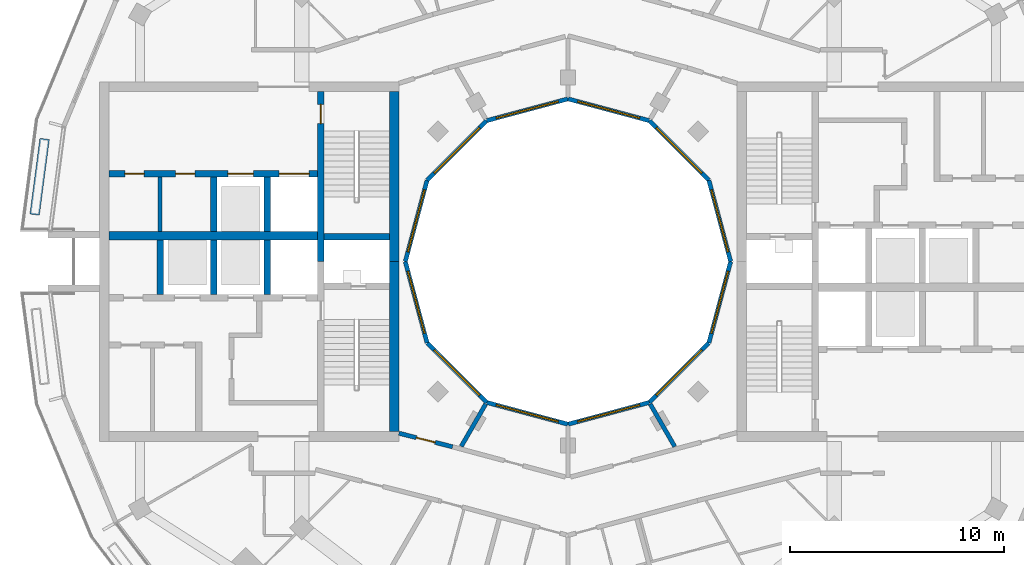
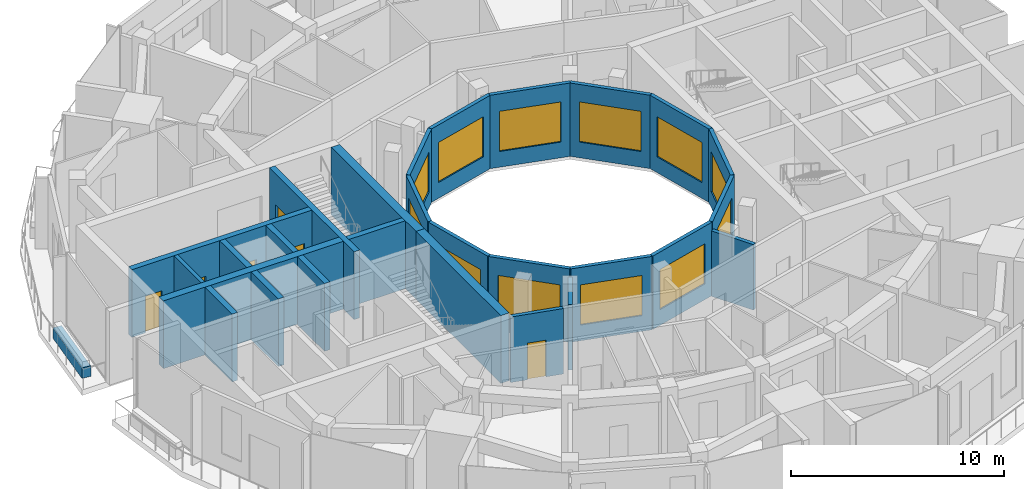
# One storey, part 10 of 17: 28 walls, 12 windows, 6 doors, 18 openings.
"""IFC4 building model written with IfcOpenShell, lengths in metres."""

from ifc_helpers import new_model, si_unit, direction, frame, frame_2d, origin, place, context, subcontext, project, spatial, rectangle, extrude, material, layer, layer_set, type_object, element, fill, save


model = new_model("IFC4")

# Units and contexts
model_context = context("Model", 3, precision=1e-05, world=origin(), true_north=direction((0.0, 1.0)))
body_context = subcontext(model_context, "Body", "Model", "MODEL_VIEW")
ifc_project = project(units=[si_unit("LENGTHUNIT", "METRE"), si_unit("AREAUNIT", "SQUARE_METRE"), si_unit("VOLUMEUNIT", "CUBIC_METRE"), si_unit("PLANEANGLEUNIT", "RADIAN"), si_unit("MASSUNIT", "GRAM", prefix="KILO")], contexts=[model_context])

# Site, building, storey
site_placement = place(None, origin())
site = spatial("IfcSite", under=ifc_project, at=site_placement, CompositionType="ELEMENT")
building_placement = place(site_placement, origin())
building = spatial("IfcBuilding", under=site, at=building_placement, Name="Torre Brocal", CompositionType="ELEMENT")
storey_placement = place(building_placement, frame((0.0, 0.0, 275.699951171875)))
storey = spatial("IfcBuildingStorey", under=building, at=storey_placement, Name="L63", CompositionType="ELEMENT", Elevation=275.699951171875)

# Wall
ifc_material_1 = material(Name="Masonry block", Category="masonry")
ifc_layer_1 = layer(ifc_material_1, 0.199951171875)
ifc_layer_set_1 = layer_set([ifc_layer_1], Name="Masonry block")
wall_type_1 = type_object("IfcWallType", Name="CORE PARTITION 200", PredefinedType="PARTITIONING", material=ifc_layer_set_1)
wall_1_placement = place(storey_placement, frame((60.925048828125, 78.949951171875, 0.0), z_axis=(0.0, 0.0, 1.0), x_axis=(0.0, -1.0, 0.0)))
element("IfcWall", 1, at=wall_1_placement, inside=storey, type_object=wall_type_1, Name="Wall CP200", PredefinedType="PARTITIONING", context=body_context, shape_type="SweptSolid", body=[
    extrude(rectangle(XDim=2.550048828125, YDim=0.199951171875, at=frame_2d((1.27490234375, 0.0))), origin(), (0.0, 0.0, 1.0), 3.880126953125),
])

# Wall, opening, door
ifc_material_2 = material(Name="Concrete C50", Category="concrete")
ifc_layer_2 = layer(ifc_material_2, 0.300048828125)
ifc_layer_set_2 = layer_set([ifc_layer_2], Name="Concrete C50")
wall_type_2 = type_object("IfcWallType", Name="CORE WALL 300 C50", PredefinedType="SHEAR", material=ifc_layer_set_2)
wall_2_placement = place(storey_placement, frame((68.449951171875, 82.949951171875, 0.0), z_axis=(0.0, 0.0, 1.0), x_axis=(0.0, -1.0, 0.0)))
wall_2 = element("IfcWall", 2, at=wall_2_placement, inside=storey, type_object=wall_type_2, Name="Wall CW300-50", PredefinedType="SHEAR", context=body_context, shape_type="SweptSolid", body=[
    extrude(rectangle(XDim=7.949951171875, YDim=0.300048828125, at=frame_2d((3.97509765625, 0.0))), origin(), (0.0, 0.0, 1.0), 3.880126953125),
])
opening_1_placement = place(wall_2_placement, frame((0.60009765625, 0.0, 0.0)))
opening_1 = element("IfcOpeningElement", 3, at=opening_1_placement, cuts=wall_2, Name="Opening W-D03", PredefinedType="OPENING", context=body_context, shape_type="SweptSolid", body=[
    extrude(rectangle(XDim=0.89990234375, YDim=2.10009765625, at=frame_2d((0.449951171875, 1.050048828125))), frame((0.0, 0.159912109375, 0.0), z_axis=(0.0, -1.0, 0.0), x_axis=(1.0, 0.0, 0.0)), (0.0, 0.0, 1.0), 0.320068359375),
])
ifc_material_3 = material(Name="Steel A653", Category="steel")
door_type_1 = type_object("IfcDoorType", Name="STAIR DOOR FD120 900X2100", OperationType="SINGLE_SWING_RIGHT", PredefinedType="DOOR", material=ifc_material_3)
door_1_placement = place(opening_1_placement, origin())
door_1 = element("IfcDoor", 4, at=door_1_placement, inside=storey, type_object=door_type_1, Name="Door W-D03", OperationType="SINGLE_SWING_LEFT", OverallHeight=2.10009765625, OverallWidth=0.89990234375, PredefinedType="DOOR", context=body_context, shape_type="SweptSolid", body=[
    extrude(rectangle(XDim=0.89990234375, YDim=2.10009765625, at=frame_2d((0.449951171875, 1.050048828125))), frame((0.0, 0.02490234375, 0.0), z_axis=(0.0, -1.0, 0.0), x_axis=(1.0, 0.0, 0.0)), (0.0, 0.0, 1.0), 0.050048828125),
])
fill(opening_1, door_1)

# Wall
wall_3_placement = place(storey_placement, frame((71.64990234375, 76.14990234375, 0.0), z_axis=(0.0, 0.0, 1.0), x_axis=(-1.0, 0.0, 0.0)))
element("IfcWall", 5, at=wall_3_placement, inside=storey, type_object=wall_type_2, Name="Wall CW300-50", PredefinedType="SHEAR", context=body_context, shape_type="SweptSolid", body=[
    extrude(rectangle(XDim=3.0498046875, YDim=0.300048828125, at=frame_2d((1.52490234375, 0.0))), origin(), (0.0, 0.0, 1.0), 3.880126953125),
])

# Wall, openings, doors
wall_4_placement = place(storey_placement, frame((68.300048828125, 79.10009765625, 0.0), z_axis=(0.0, 0.0, 1.0), x_axis=(-1.0, 0.0, 0.0)))
wall_4 = element("IfcWall", 6, at=wall_4_placement, inside=storey, type_object=wall_type_2, Name="Wall CW300-50", PredefinedType="SHEAR", context=body_context, shape_type="SweptSolid", body=[
    extrude(rectangle(XDim=9.75, YDim=0.300048828125, at=frame_2d((4.875, 0.0))), origin(), (0.0, 0.0, 1.0), 3.880126953125),
])
opening_2_placement = place(wall_4_placement, frame((0.39990234375, 0.0, 0.0)))
opening_2 = element("IfcOpeningElement", 7, at=opening_2_placement, cuts=wall_4, Name="Opening LD14", PredefinedType="OPENING", context=body_context, shape_type="SweptSolid", body=[
    extrude(rectangle(XDim=1.39990234375, YDim=2.10009765625, at=frame_2d((0.699951171875, 1.050048828125))), frame((0.0, 0.159912109375, 0.0), z_axis=(0.0, -1.0, 0.0), x_axis=(1.0, 0.0, 0.0)), (0.0, 0.0, 1.0), 0.320068359375),
])
opening_3_placement = place(wall_4_placement, frame((3.0, 0.0, 0.0)))
opening_3 = element("IfcOpeningElement", 8, at=opening_3_placement, cuts=wall_4, Name="Opening LD12", PredefinedType="OPENING", context=body_context, shape_type="SweptSolid", body=[
    extrude(rectangle(XDim=1.199951171875, YDim=2.10009765625, at=frame_2d((0.60009765625, 1.050048828125))), frame((0.0, 0.159912109375, 0.0), z_axis=(0.0, -1.0, 0.0), x_axis=(1.0, 0.0, 0.0)), (0.0, 0.0, 1.0), 0.320068359375),
])
opening_4_placement = place(wall_4_placement, frame((5.737548828125, 0.0, 0.0)))
opening_4 = element("IfcOpeningElement", 9, at=opening_4_placement, cuts=wall_4, Name="Opening W-D05", PredefinedType="OPENING", context=body_context, shape_type="SweptSolid", body=[
    extrude(rectangle(XDim=0.89990234375, YDim=2.10009765625, at=frame_2d((0.449951171875, 1.050048828125))), frame((0.0, 0.159912109375, 0.0), z_axis=(0.0, -1.0, 0.0), x_axis=(1.0, 0.0, 0.0)), (0.0, 0.0, 1.0), 0.320068359375),
])
opening_5_placement = place(wall_4_placement, frame((8.112548828125, 0.0, 0.0)))
opening_5 = element("IfcOpeningElement", 10, at=opening_5_placement, cuts=wall_4, Name="Opening W-D06", PredefinedType="OPENING", context=body_context, shape_type="SweptSolid", body=[
    extrude(rectangle(XDim=0.89990234375, YDim=2.10009765625, at=frame_2d((0.449951171875, 1.050048828125))), frame((0.0, 0.159912109375, 0.0), z_axis=(0.0, -1.0, 0.0), x_axis=(1.0, 0.0, 0.0)), (0.0, 0.0, 1.0), 0.320068359375),
])
ifc_material_4 = material(Name="Stainless steel AISI 316", Category="steel")
door_type_2 = type_object("IfcDoorType", Name="LIFT LANDING DOOR 1200X2100", OperationType="DOUBLE_DOOR_SLIDING", PredefinedType="DOOR", material=ifc_material_4)
door_2_placement = place(opening_3_placement, origin())
door_2 = element("IfcDoor", 11, at=door_2_placement, inside=storey, type_object=door_type_2, Name="Door LD12", OperationType="DOUBLE_DOOR_SLIDING", OverallHeight=2.10009765625, OverallWidth=1.199951171875, PredefinedType="DOOR", context=body_context, shape_type="SweptSolid", body=[
    extrude(rectangle(XDim=1.199951171875, YDim=2.10009765625, at=frame_2d((0.60009765625, 1.050048828125))), frame((0.0, 0.02490234375, 0.0), z_axis=(0.0, -1.0, 0.0), x_axis=(1.0, 0.0, 0.0)), (0.0, 0.0, 1.0), 0.050048828125),
])
fill(opening_3, door_2)
ifc_material_5 = material(Name="Stainless steel AISI 316", Category="steel")
door_type_3 = type_object("IfcDoorType", Name="LIFT LANDING DOOR 1400X2100", OperationType="DOUBLE_DOOR_SLIDING", PredefinedType="DOOR", material=ifc_material_5)
door_3_placement = place(opening_2_placement, origin())
door_3 = element("IfcDoor", 12, at=door_3_placement, inside=storey, type_object=door_type_3, Name="Door LD14", OperationType="DOUBLE_DOOR_SLIDING", OverallHeight=2.10009765625, OverallWidth=1.39990234375, PredefinedType="DOOR", context=body_context, shape_type="SweptSolid", body=[
    extrude(rectangle(XDim=1.39990234375, YDim=2.10009765625, at=frame_2d((0.699951171875, 1.050048828125))), frame((0.0, 0.02490234375, 0.0), z_axis=(0.0, -1.0, 0.0), x_axis=(1.0, 0.0, 0.0)), (0.0, 0.0, 1.0), 0.050048828125),
])
fill(opening_2, door_3)
ifc_material_6 = material(Name="Steel A653", Category="steel")
door_type_4 = type_object("IfcDoorType", Name="ROOM DOOR FD30S 900X2100", OperationType="SINGLE_SWING_LEFT", PredefinedType="DOOR", material=ifc_material_6)
door_4_placement = place(opening_4_placement, origin())
door_4 = element("IfcDoor", 13, at=door_4_placement, inside=storey, type_object=door_type_4, Name="Door W-D05", OperationType="SINGLE_SWING_RIGHT", OverallHeight=2.10009765625, OverallWidth=0.89990234375, PredefinedType="DOOR", context=body_context, shape_type="SweptSolid", body=[
    extrude(rectangle(XDim=0.89990234375, YDim=2.10009765625, at=frame_2d((0.449951171875, 1.050048828125))), frame((0.0, 0.02490234375, 0.0), z_axis=(0.0, -1.0, 0.0), x_axis=(1.0, 0.0, 0.0)), (0.0, 0.0, 1.0), 0.050048828125),
])
fill(opening_4, door_4)
door_5_placement = place(opening_5_placement, origin())
door_5 = element("IfcDoor", 14, at=door_5_placement, inside=storey, type_object=door_type_4, Name="Door W-D06", OperationType="SINGLE_SWING_LEFT", OverallHeight=2.10009765625, OverallWidth=0.89990234375, PredefinedType="DOOR", context=body_context, shape_type="SweptSolid", body=[
    extrude(rectangle(XDim=0.89990234375, YDim=2.10009765625, at=frame_2d((0.449951171875, 1.050048828125))), frame((0.0, 0.02490234375, 0.0), z_axis=(0.0, -1.0, 0.0), x_axis=(1.0, 0.0, 0.0)), (0.0, 0.0, 1.0), 0.050048828125),
])
fill(opening_5, door_5)

# Walls
for number, where, z_axis, x_axis, name in (
    (15, (65.949951171875, 76.0, 0.0), (0.0, 0.0, 1.0), (0.0, -1.0, 0.0), "Wall CW300-50"),
    (16, (63.449951171875, 76.0, 0.0), (0.0, 0.0, 1.0), (0.0, -1.0, 0.0), "Wall CW300-50"),
    (17, (60.949951171875, 76.0, 0.0), (0.0, 0.0, 1.0), (0.0, -1.0, 0.0), "Wall CW300-50"),
    (18, (65.949951171875, 78.949951171875, 0.0), (0.0, 0.0, 1.0), (0.0, -1.0, 0.0), "Wall CW300-50"),
    (19, (63.449951171875, 78.949951171875, 0.0), (0.0, 0.0, 1.0), (0.0, -1.0, 0.0), "Wall CW300-50"),
):
    element("IfcWall", number, at=place(storey_placement, frame(where, z_axis=z_axis, x_axis=x_axis)), inside=storey, type_object=wall_type_2, Name=name, PredefinedType="SHEAR", context=body_context, shape_type="SweptSolid", body=[
        extrude(rectangle(XDim=2.550048828125, YDim=0.300048828125, at=frame_2d((1.27490234375, 0.0))), origin(), (0.0, 0.0, 1.0), 3.880126953125),
    ])
ifc_material_7 = material(Name="Concrete C50", Category="concrete")
ifc_layer_3 = layer(ifc_material_7, 0.39990234375)
ifc_layer_set_3 = layer_set([ifc_layer_3], Name="Concrete C50")
wall_type_3 = type_object("IfcWallType", Name="CORE WALL 400 C50", PredefinedType="SHEAR", material=ifc_layer_set_3)
wall_5_placement = place(storey_placement, frame((68.300048828125, 76.199951171875, 0.0), z_axis=(0.0, 0.0, 1.0), x_axis=(-1.0, 0.0, 0.0)))
element("IfcWall", 20, at=wall_5_placement, inside=storey, type_object=wall_type_3, Name="Wall CW400-50", PredefinedType="SHEAR", context=body_context, shape_type="SweptSolid", body=[
    extrude(rectangle(XDim=9.75, YDim=0.39990234375, at=frame_2d((4.875, 0.0))), origin(), (0.0, 0.0, 1.0), 3.880126953125),
])
ifc_material_8 = material(Name="Concrete C50", Category="concrete")
ifc_layer_4 = layer(ifc_material_8, 0.449951171875)
ifc_layer_set_4 = layer_set([ifc_layer_4], Name="Concrete C50")
wall_type_4 = type_object("IfcWallType", Name="CORE WALL 450 C50", PredefinedType="SHEAR", material=ifc_layer_set_4)
for number, where, z_axis, x_axis, name in (
    (21, (71.875, 75.0, 0.0), (0.0, 0.0, 1.0), (0.0, -1.0, 0.0), "Wall CW450-50"),
    (22, (71.875, 82.949951171875, 0.0), (0.0, 0.0, 1.0), (0.0, -1.0, 0.0), "Wall CW450-50"),
):
    element("IfcWall", number, at=place(storey_placement, frame(where, z_axis=z_axis, x_axis=x_axis)), inside=storey, type_object=wall_type_4, Name=name, PredefinedType="SHEAR", context=body_context, shape_type="SweptSolid", body=[
        extrude(rectangle(XDim=7.949951171875, YDim=0.449951171875, at=frame_2d((3.97509765625, 0.0))), origin(), (0.0, 0.0, 1.0), 3.880126953125),
    ])

# Wall, opening, door
ifc_material_9 = material(Name="Gypsum board", Category="Gypsum")
ifc_layer_5 = layer(ifc_material_9, 0.199951171875)
ifc_layer_set_5 = layer_set([ifc_layer_5], Name="Gypsum board")
wall_type_5 = type_object("IfcWallType", Name="PARTITION 200 EI60", PredefinedType="PARTITIONING", material=ifc_layer_set_5)
wall_6_placement = place(storey_placement, frame((72.10009765625, 66.97509765625, 0.0), z_axis=(0.0, 0.0, 1.0), x_axis=(0.969471314457, -0.245204752086, 0.0)))
wall_6 = element("IfcWall", 23, at=wall_6_placement, inside=storey, type_object=wall_type_5, Name="CORRIDOR WALL", PredefinedType="PARTITIONING", context=body_context, shape_type="SweptSolid", body=[
    extrude(rectangle(XDim=2.581787109375, YDim=0.199951171875, at=frame_2d((1.291015625, 0.0))), origin(), (0.0, 0.0, 1.0), 3.75),
])
opening_6_placement = place(wall_6_placement, frame((0.8408203125, 0.0, 0.0)))
opening_6 = element("IfcOpeningElement", 24, at=opening_6_placement, cuts=wall_6, Name="Opening N01-D44", PredefinedType="OPENING", context=body_context, shape_type="SweptSolid", body=[
    extrude(rectangle(XDim=0.89990234375, YDim=2.10009765625, at=frame_2d((0.449951171875, 1.050048828125))), frame((0.0, 0.10986328125, 0.0), z_axis=(0.0, -1.0, 0.0), x_axis=(1.0, 0.0, 0.0)), (0.0, 0.0, 1.0), 0.219970703125),
])
ifc_material_10 = material(Name="Timber", Category="wood")
door_type_5 = type_object("IfcDoorType", Name="ROOM DOOR 900X2100", OperationType="SINGLE_SWING_LEFT", PredefinedType="DOOR", material=ifc_material_10)
door_6_placement = place(opening_6_placement, origin())
door_6 = element("IfcDoor", 25, at=door_6_placement, inside=storey, type_object=door_type_5, Name="N01-D44", OperationType="SINGLE_SWING_LEFT", OverallHeight=2.10009765625, OverallWidth=0.89990234375, PredefinedType="DOOR", context=body_context, shape_type="SweptSolid", body=[
    extrude(rectangle(XDim=0.89990234375, YDim=2.10009765625, at=frame_2d((0.449951171875, 1.050048828125))), frame((0.0, 0.02490234375, 0.0), z_axis=(0.0, -1.0, 0.0), x_axis=(1.0, 0.0, 0.0)), (0.0, 0.0, 1.0), 0.050048828125),
])
fill(opening_6, door_6)

# Walls
wall_7_placement = place(storey_placement, frame((75.01220703125, 66.363037109375, 0.0), z_axis=(0.0, 0.0, 1.0), x_axis=(0.500097042406, 0.865969369075, 0.0)))
element("IfcWall", 26, at=wall_7_placement, inside=storey, type_object=wall_type_5, Name="SERVICE ROOM WALL", PredefinedType="PARTITIONING", context=body_context, shape_type="SweptSolid", body=[
    extrude(rectangle(XDim=2.275390625, YDim=0.199951171875, at=frame_2d((1.1376953125, 0.0))), origin(), (0.0, 0.0, 1.0), 3.75),
])
wall_8_placement = place(storey_placement, frame((83.847900390625, 68.332275390625, 0.0), z_axis=(0.0, 0.0, 1.0), x_axis=(0.499953638813, -0.866052168773, 0.0)))
element("IfcWall", 27, at=wall_8_placement, inside=storey, type_object=wall_type_5, Name="SERVICE ROOM WALL", PredefinedType="PARTITIONING", context=body_context, shape_type="SweptSolid", body=[
    extrude(rectangle(XDim=2.285400390625, YDim=0.199951171875, at=frame_2d((1.142578125, 0.0))), origin(), (0.0, 0.0, 1.0), 3.75),
])
ifc_material_11 = material(Name="Concrete C35", Category="concrete")
ifc_layer_6 = layer(ifc_material_11, 0.449951171875)
ifc_layer_set_6 = layer_set([ifc_layer_6], Name="Concrete C35")
wall_type_6 = type_object("IfcWallType", Name="PLANTER WALL 450 THICK 600 HIGH", PredefinedType="USERDEFINED", material=ifc_layer_set_6)
wall_9_placement = place(storey_placement, frame((55.53662109375, 80.73388671875, 0.0), z_axis=(0.0, 0.0, 1.0), x_axis=(-0.130569454921, -0.991439164771, 0.0)))
element("IfcWall", 28, at=wall_9_placement, inside=storey, type_object=wall_type_6, Name="PLANTER", ObjectType="PLANTER", PredefinedType="USERDEFINED", context=body_context, shape_type="SweptSolid", body=[
    extrude(rectangle(XDim=3.5712890625, YDim=0.449951171875, at=frame_2d((1.78564453125, 0.0))), origin(), (0.0, 0.0, 1.0), 0.60009765625),
])

# Wall, opening, window
ifc_material_12 = material(Name="Concrete C40", Category="concrete")
ifc_layer_7 = layer(ifc_material_12, 0.199951171875)
ifc_layer_set_7 = layer_set([ifc_layer_7], Name="Concrete C40")
wall_type_7 = type_object("IfcWallType", Name="WELL FACADE WALL 200", PredefinedType="NOTDEFINED", material=ifc_layer_set_7)
wall_10_placement = place(storey_placement, frame((87.603515625, 75.0, 0.0), z_axis=(0.0, 0.0, 1.0), x_axis=(-0.258789828301, 0.965933654434, 0.0)))
wall_10 = element("IfcWall", 29, at=wall_10_placement, inside=storey, type_object=wall_type_7, Name="WELL FACADE WALL", PredefinedType="NOTDEFINED", context=body_context, shape_type="SweptSolid", body=[
    extrude(rectangle(XDim=3.935791015625, YDim=0.199951171875, at=frame_2d((1.9677734375, 0.0))), origin(), (0.0, 0.0, 1.0), 4.199951171875),
])
opening_7_placement = place(wall_10_placement, frame((0.468017578125, 0.0, 0.89990234375)))
opening_7 = element("IfcOpeningElement", 30, at=opening_7_placement, cuts=wall_10, Name="Opening W1", PredefinedType="OPENING", context=body_context, shape_type="SweptSolid", body=[
    extrude(rectangle(XDim=3.0, YDim=2.300048828125, at=frame_2d((1.5, 1.14990234375))), frame((0.0, 0.10986328125, 0.0), z_axis=(0.0, -1.0, 0.0), x_axis=(1.0, 0.0, 0.0)), (0.0, 0.0, 1.0), 0.219970703125),
])
ifc_material_13 = material(Name="Aluminium and glass", Category="aluminium")
window_type = type_object("IfcWindowType", Name="WELL WINDOW 3000X2300", PartitioningType="SINGLE_PANEL", PredefinedType="WINDOW", material=ifc_material_13)
window_1_placement = place(opening_7_placement, origin())
window_1 = element("IfcWindow", 31, at=window_1_placement, inside=storey, type_object=window_type, Name="WELL WINDOW 3000X2300", OverallHeight=2.300048828125, OverallWidth=3.0, PartitioningType="SINGLE_PANEL", PredefinedType="WINDOW", context=body_context, shape_type="SweptSolid", body=[
    extrude(rectangle(XDim=3.0, YDim=2.300048828125, at=frame_2d((1.5, 1.14990234375))), frame((0.0, 0.030029296875, 0.0), z_axis=(0.0, -1.0, 0.0), x_axis=(1.0, 0.0, 0.0)), (0.0, 0.0, 1.0), 0.06005859375),
])
fill(opening_7, window_1)

wall_11_placement = place(storey_placement, frame((86.5849609375, 78.8017578125, 0.0), z_axis=(0.0, 0.0, 1.0), x_axis=(-0.707106781187, 0.707106781187, 0.0)))
wall_11 = element("IfcWall", 32, at=wall_11_placement, inside=storey, type_object=wall_type_7, Name="WELL FACADE WALL", PredefinedType="NOTDEFINED", context=body_context, shape_type="SweptSolid", body=[
    extrude(rectangle(XDim=3.93603515625, YDim=0.199951171875, at=frame_2d((1.968017578125, 0.0))), origin(), (0.0, 0.0, 1.0), 4.199951171875),
])
opening_8_placement = place(wall_11_placement, frame((0.468017578125, 0.0, 0.89990234375)))
opening_8 = element("IfcOpeningElement", 33, at=opening_8_placement, cuts=wall_11, Name="Opening W1", PredefinedType="OPENING", context=body_context, shape_type="SweptSolid", body=[
    extrude(rectangle(XDim=3.0, YDim=2.300048828125, at=frame_2d((1.5, 1.14990234375))), frame((0.0, 0.10986328125, 0.0), z_axis=(0.0, -1.0, 0.0), x_axis=(1.0, 0.0, 0.0)), (0.0, 0.0, 1.0), 0.219970703125),
])
window_2_placement = place(opening_8_placement, origin())
window_2 = element("IfcWindow", 34, at=window_2_placement, inside=storey, type_object=window_type, Name="WELL WINDOW 3000X2300", OverallHeight=2.300048828125, OverallWidth=3.0, PartitioningType="SINGLE_PANEL", PredefinedType="WINDOW", context=body_context, shape_type="SweptSolid", body=[
    extrude(rectangle(XDim=3.0, YDim=2.300048828125, at=frame_2d((1.5, 1.14990234375))), frame((0.0, 0.030029296875, 0.0), z_axis=(0.0, -1.0, 0.0), x_axis=(1.0, 0.0, 0.0)), (0.0, 0.0, 1.0), 0.06005859375),
])
fill(opening_8, window_2)

wall_12_placement = place(storey_placement, frame((83.8017578125, 81.5849609375, 0.0), z_axis=(0.0, 0.0, 1.0), x_axis=(-0.965933654434, 0.258789828301, 0.0)))
wall_12 = element("IfcWall", 35, at=wall_12_placement, inside=storey, type_object=wall_type_7, Name="WELL FACADE WALL", PredefinedType="NOTDEFINED", context=body_context, shape_type="SweptSolid", body=[
    extrude(rectangle(XDim=3.935791015625, YDim=0.199951171875, at=frame_2d((1.9677734375, 0.0))), origin(), (0.0, 0.0, 1.0), 4.199951171875),
])
opening_9_placement = place(wall_12_placement, frame((0.468017578125, 0.0, 0.89990234375)))
opening_9 = element("IfcOpeningElement", 36, at=opening_9_placement, cuts=wall_12, Name="Opening W1", PredefinedType="OPENING", context=body_context, shape_type="SweptSolid", body=[
    extrude(rectangle(XDim=3.0, YDim=2.300048828125, at=frame_2d((1.5, 1.14990234375))), frame((0.0, 0.10986328125, 0.0), z_axis=(0.0, -1.0, 0.0), x_axis=(1.0, 0.0, 0.0)), (0.0, 0.0, 1.0), 0.219970703125),
])
window_3_placement = place(opening_9_placement, origin())
window_3 = element("IfcWindow", 37, at=window_3_placement, inside=storey, type_object=window_type, Name="WELL WINDOW 3000X2300", OverallHeight=2.300048828125, OverallWidth=3.0, PartitioningType="SINGLE_PANEL", PredefinedType="WINDOW", context=body_context, shape_type="SweptSolid", body=[
    extrude(rectangle(XDim=3.0, YDim=2.300048828125, at=frame_2d((1.5, 1.14990234375))), frame((0.0, 0.030029296875, 0.0), z_axis=(0.0, -1.0, 0.0), x_axis=(1.0, 0.0, 0.0)), (0.0, 0.0, 1.0), 0.06005859375),
])
fill(opening_9, window_3)

wall_13_placement = place(storey_placement, frame((80.0, 82.603515625, 0.0), z_axis=(0.0, 0.0, 1.0), x_axis=(-0.965933654434, -0.258789828301, 0.0)))
wall_13 = element("IfcWall", 38, at=wall_13_placement, inside=storey, type_object=wall_type_7, Name="WELL FACADE WALL", PredefinedType="NOTDEFINED", context=body_context, shape_type="SweptSolid", body=[
    extrude(rectangle(XDim=3.935791015625, YDim=0.199951171875, at=frame_2d((1.9677734375, 0.0))), origin(), (0.0, 0.0, 1.0), 4.199951171875),
])
opening_10_placement = place(wall_13_placement, frame((0.468017578125, 0.0, 0.89990234375)))
opening_10 = element("IfcOpeningElement", 39, at=opening_10_placement, cuts=wall_13, Name="Opening W1", PredefinedType="OPENING", context=body_context, shape_type="SweptSolid", body=[
    extrude(rectangle(XDim=3.0, YDim=2.300048828125, at=frame_2d((1.5, 1.14990234375))), frame((0.0, 0.10986328125, 0.0), z_axis=(0.0, -1.0, 0.0), x_axis=(1.0, 0.0, 0.0)), (0.0, 0.0, 1.0), 0.219970703125),
])
window_4_placement = place(opening_10_placement, origin())
window_4 = element("IfcWindow", 40, at=window_4_placement, inside=storey, type_object=window_type, Name="WELL WINDOW 3000X2300", OverallHeight=2.300048828125, OverallWidth=3.0, PartitioningType="SINGLE_PANEL", PredefinedType="WINDOW", context=body_context, shape_type="SweptSolid", body=[
    extrude(rectangle(XDim=3.0, YDim=2.300048828125, at=frame_2d((1.5, 1.14990234375))), frame((0.0, 0.030029296875, 0.0), z_axis=(0.0, -1.0, 0.0), x_axis=(1.0, 0.0, 0.0)), (0.0, 0.0, 1.0), 0.06005859375),
])
fill(opening_10, window_4)

wall_14_placement = place(storey_placement, frame((76.1982421875, 81.5849609375, 0.0), z_axis=(0.0, 0.0, 1.0), x_axis=(-0.707106781187, -0.707106781187, 0.0)))
wall_14 = element("IfcWall", 41, at=wall_14_placement, inside=storey, type_object=wall_type_7, Name="WELL FACADE WALL", PredefinedType="NOTDEFINED", context=body_context, shape_type="SweptSolid", body=[
    extrude(rectangle(XDim=3.93603515625, YDim=0.199951171875, at=frame_2d((1.968017578125, 0.0))), origin(), (0.0, 0.0, 1.0), 4.199951171875),
])
opening_11_placement = place(wall_14_placement, frame((0.468017578125, 0.0, 0.89990234375)))
opening_11 = element("IfcOpeningElement", 42, at=opening_11_placement, cuts=wall_14, Name="Opening W1", PredefinedType="OPENING", context=body_context, shape_type="SweptSolid", body=[
    extrude(rectangle(XDim=3.0, YDim=2.300048828125, at=frame_2d((1.5, 1.14990234375))), frame((0.0, 0.10986328125, 0.0), z_axis=(0.0, -1.0, 0.0), x_axis=(1.0, 0.0, 0.0)), (0.0, 0.0, 1.0), 0.219970703125),
])
window_5_placement = place(opening_11_placement, origin())
window_5 = element("IfcWindow", 43, at=window_5_placement, inside=storey, type_object=window_type, Name="WELL WINDOW 3000X2300", OverallHeight=2.300048828125, OverallWidth=3.0, PartitioningType="SINGLE_PANEL", PredefinedType="WINDOW", context=body_context, shape_type="SweptSolid", body=[
    extrude(rectangle(XDim=3.0, YDim=2.300048828125, at=frame_2d((1.5, 1.14990234375))), frame((0.0, 0.030029296875, 0.0), z_axis=(0.0, -1.0, 0.0), x_axis=(1.0, 0.0, 0.0)), (0.0, 0.0, 1.0), 0.06005859375),
])
fill(opening_11, window_5)

wall_15_placement = place(storey_placement, frame((73.4150390625, 78.8017578125, 0.0), z_axis=(0.0, 0.0, 1.0), x_axis=(-0.258789828301, -0.965933654434, 0.0)))
wall_15 = element("IfcWall", 44, at=wall_15_placement, inside=storey, type_object=wall_type_7, Name="WELL FACADE WALL", PredefinedType="NOTDEFINED", context=body_context, shape_type="SweptSolid", body=[
    extrude(rectangle(XDim=3.935791015625, YDim=0.199951171875, at=frame_2d((1.9677734375, 0.0))), origin(), (0.0, 0.0, 1.0), 4.199951171875),
])
opening_12_placement = place(wall_15_placement, frame((0.468017578125, 0.0, 0.89990234375)))
opening_12 = element("IfcOpeningElement", 45, at=opening_12_placement, cuts=wall_15, Name="Opening W1", PredefinedType="OPENING", context=body_context, shape_type="SweptSolid", body=[
    extrude(rectangle(XDim=3.0, YDim=2.300048828125, at=frame_2d((1.5, 1.14990234375))), frame((0.0, 0.10986328125, 0.0), z_axis=(0.0, -1.0, 0.0), x_axis=(1.0, 0.0, 0.0)), (0.0, 0.0, 1.0), 0.219970703125),
])
window_6_placement = place(opening_12_placement, origin())
window_6 = element("IfcWindow", 46, at=window_6_placement, inside=storey, type_object=window_type, Name="WELL WINDOW 3000X2300", OverallHeight=2.300048828125, OverallWidth=3.0, PartitioningType="SINGLE_PANEL", PredefinedType="WINDOW", context=body_context, shape_type="SweptSolid", body=[
    extrude(rectangle(XDim=3.0, YDim=2.300048828125, at=frame_2d((1.5, 1.14990234375))), frame((0.0, 0.030029296875, 0.0), z_axis=(0.0, -1.0, 0.0), x_axis=(1.0, 0.0, 0.0)), (0.0, 0.0, 1.0), 0.06005859375),
])
fill(opening_12, window_6)

wall_16_placement = place(storey_placement, frame((72.396484375, 75.0, 0.0), z_axis=(0.0, 0.0, 1.0), x_axis=(0.258789828301, -0.965933654434, 0.0)))
wall_16 = element("IfcWall", 47, at=wall_16_placement, inside=storey, type_object=wall_type_7, Name="WELL FACADE WALL", PredefinedType="NOTDEFINED", context=body_context, shape_type="SweptSolid", body=[
    extrude(rectangle(XDim=3.935791015625, YDim=0.199951171875, at=frame_2d((1.9677734375, 0.0))), origin(), (0.0, 0.0, 1.0), 4.199951171875),
])
opening_13_placement = place(wall_16_placement, frame((0.468017578125, 0.0, 0.89990234375)))
opening_13 = element("IfcOpeningElement", 48, at=opening_13_placement, cuts=wall_16, Name="Opening W1", PredefinedType="OPENING", context=body_context, shape_type="SweptSolid", body=[
    extrude(rectangle(XDim=3.0, YDim=2.300048828125, at=frame_2d((1.5, 1.14990234375))), frame((0.0, 0.10986328125, 0.0), z_axis=(0.0, -1.0, 0.0), x_axis=(1.0, 0.0, 0.0)), (0.0, 0.0, 1.0), 0.219970703125),
])
window_7_placement = place(opening_13_placement, origin())
window_7 = element("IfcWindow", 49, at=window_7_placement, inside=storey, type_object=window_type, Name="WELL WINDOW 3000X2300", OverallHeight=2.300048828125, OverallWidth=3.0, PartitioningType="SINGLE_PANEL", PredefinedType="WINDOW", context=body_context, shape_type="SweptSolid", body=[
    extrude(rectangle(XDim=3.0, YDim=2.300048828125, at=frame_2d((1.5, 1.14990234375))), frame((0.0, 0.030029296875, 0.0), z_axis=(0.0, -1.0, 0.0), x_axis=(1.0, 0.0, 0.0)), (0.0, 0.0, 1.0), 0.06005859375),
])
fill(opening_13, window_7)

wall_17_placement = place(storey_placement, frame((73.4150390625, 71.1982421875, 0.0), z_axis=(0.0, 0.0, 1.0), x_axis=(0.707106781187, -0.707106781187, 0.0)))
wall_17 = element("IfcWall", 50, at=wall_17_placement, inside=storey, type_object=wall_type_7, Name="WELL FACADE WALL", PredefinedType="NOTDEFINED", context=body_context, shape_type="SweptSolid", body=[
    extrude(rectangle(XDim=3.93603515625, YDim=0.199951171875, at=frame_2d((1.968017578125, 0.0))), origin(), (0.0, 0.0, 1.0), 4.199951171875),
])
opening_14_placement = place(wall_17_placement, frame((0.468017578125, 0.0, 0.89990234375)))
opening_14 = element("IfcOpeningElement", 51, at=opening_14_placement, cuts=wall_17, Name="Opening W1", PredefinedType="OPENING", context=body_context, shape_type="SweptSolid", body=[
    extrude(rectangle(XDim=3.0, YDim=2.300048828125, at=frame_2d((1.5, 1.14990234375))), frame((0.0, 0.10986328125, 0.0), z_axis=(0.0, -1.0, 0.0), x_axis=(1.0, 0.0, 0.0)), (0.0, 0.0, 1.0), 0.219970703125),
])
window_8_placement = place(opening_14_placement, origin())
window_8 = element("IfcWindow", 52, at=window_8_placement, inside=storey, type_object=window_type, Name="WELL WINDOW 3000X2300", OverallHeight=2.300048828125, OverallWidth=3.0, PartitioningType="SINGLE_PANEL", PredefinedType="WINDOW", context=body_context, shape_type="SweptSolid", body=[
    extrude(rectangle(XDim=3.0, YDim=2.300048828125, at=frame_2d((1.5, 1.14990234375))), frame((0.0, 0.030029296875, 0.0), z_axis=(0.0, -1.0, 0.0), x_axis=(1.0, 0.0, 0.0)), (0.0, 0.0, 1.0), 0.06005859375),
])
fill(opening_14, window_8)

wall_18_placement = place(storey_placement, frame((76.1982421875, 68.4150390625, 0.0), z_axis=(0.0, 0.0, 1.0), x_axis=(0.965933654434, -0.258789828301, 0.0)))
wall_18 = element("IfcWall", 53, at=wall_18_placement, inside=storey, type_object=wall_type_7, Name="WELL FACADE WALL", PredefinedType="NOTDEFINED", context=body_context, shape_type="SweptSolid", body=[
    extrude(rectangle(XDim=3.935791015625, YDim=0.199951171875, at=frame_2d((1.9677734375, 0.0))), origin(), (0.0, 0.0, 1.0), 4.199951171875),
])
opening_15_placement = place(wall_18_placement, frame((0.468017578125, 0.0, 0.89990234375)))
opening_15 = element("IfcOpeningElement", 54, at=opening_15_placement, cuts=wall_18, Name="Opening W1", PredefinedType="OPENING", context=body_context, shape_type="SweptSolid", body=[
    extrude(rectangle(XDim=3.0, YDim=2.300048828125, at=frame_2d((1.5, 1.14990234375))), frame((0.0, 0.10986328125, 0.0), z_axis=(0.0, -1.0, 0.0), x_axis=(1.0, 0.0, 0.0)), (0.0, 0.0, 1.0), 0.219970703125),
])
window_9_placement = place(opening_15_placement, origin())
window_9 = element("IfcWindow", 55, at=window_9_placement, inside=storey, type_object=window_type, Name="WELL WINDOW 3000X2300", OverallHeight=2.300048828125, OverallWidth=3.0, PartitioningType="SINGLE_PANEL", PredefinedType="WINDOW", context=body_context, shape_type="SweptSolid", body=[
    extrude(rectangle(XDim=3.0, YDim=2.300048828125, at=frame_2d((1.5, 1.14990234375))), frame((0.0, 0.030029296875, 0.0), z_axis=(0.0, -1.0, 0.0), x_axis=(1.0, 0.0, 0.0)), (0.0, 0.0, 1.0), 0.06005859375),
])
fill(opening_15, window_9)

wall_19_placement = place(storey_placement, frame((80.0, 67.396484375, 0.0), z_axis=(0.0, 0.0, 1.0), x_axis=(0.965933654434, 0.258789828301, 0.0)))
wall_19 = element("IfcWall", 56, at=wall_19_placement, inside=storey, type_object=wall_type_7, Name="WELL FACADE WALL", PredefinedType="NOTDEFINED", context=body_context, shape_type="SweptSolid", body=[
    extrude(rectangle(XDim=3.935791015625, YDim=0.199951171875, at=frame_2d((1.9677734375, 0.0))), origin(), (0.0, 0.0, 1.0), 4.199951171875),
])
opening_16_placement = place(wall_19_placement, frame((0.468017578125, 0.0, 0.89990234375)))
opening_16 = element("IfcOpeningElement", 57, at=opening_16_placement, cuts=wall_19, Name="Opening W1", PredefinedType="OPENING", context=body_context, shape_type="SweptSolid", body=[
    extrude(rectangle(XDim=3.0, YDim=2.300048828125, at=frame_2d((1.5, 1.14990234375))), frame((0.0, 0.10986328125, 0.0), z_axis=(0.0, -1.0, 0.0), x_axis=(1.0, 0.0, 0.0)), (0.0, 0.0, 1.0), 0.219970703125),
])
window_10_placement = place(opening_16_placement, origin())
window_10 = element("IfcWindow", 58, at=window_10_placement, inside=storey, type_object=window_type, Name="WELL WINDOW 3000X2300", OverallHeight=2.300048828125, OverallWidth=3.0, PartitioningType="SINGLE_PANEL", PredefinedType="WINDOW", context=body_context, shape_type="SweptSolid", body=[
    extrude(rectangle(XDim=3.0, YDim=2.300048828125, at=frame_2d((1.5, 1.14990234375))), frame((0.0, 0.030029296875, 0.0), z_axis=(0.0, -1.0, 0.0), x_axis=(1.0, 0.0, 0.0)), (0.0, 0.0, 1.0), 0.06005859375),
])
fill(opening_16, window_10)

wall_20_placement = place(storey_placement, frame((83.8017578125, 68.4150390625, 0.0), z_axis=(0.0, 0.0, 1.0), x_axis=(0.707106781187, 0.707106781187, 0.0)))
wall_20 = element("IfcWall", 59, at=wall_20_placement, inside=storey, type_object=wall_type_7, Name="WELL FACADE WALL", PredefinedType="NOTDEFINED", context=body_context, shape_type="SweptSolid", body=[
    extrude(rectangle(XDim=3.93603515625, YDim=0.199951171875, at=frame_2d((1.968017578125, 0.0))), origin(), (0.0, 0.0, 1.0), 4.199951171875),
])
opening_17_placement = place(wall_20_placement, frame((0.468017578125, 0.0, 0.89990234375)))
opening_17 = element("IfcOpeningElement", 60, at=opening_17_placement, cuts=wall_20, Name="Opening W1", PredefinedType="OPENING", context=body_context, shape_type="SweptSolid", body=[
    extrude(rectangle(XDim=3.0, YDim=2.300048828125, at=frame_2d((1.5, 1.14990234375))), frame((0.0, 0.10986328125, 0.0), z_axis=(0.0, -1.0, 0.0), x_axis=(1.0, 0.0, 0.0)), (0.0, 0.0, 1.0), 0.219970703125),
])
window_11_placement = place(opening_17_placement, origin())
window_11 = element("IfcWindow", 61, at=window_11_placement, inside=storey, type_object=window_type, Name="WELL WINDOW 3000X2300", OverallHeight=2.300048828125, OverallWidth=3.0, PartitioningType="SINGLE_PANEL", PredefinedType="WINDOW", context=body_context, shape_type="SweptSolid", body=[
    extrude(rectangle(XDim=3.0, YDim=2.300048828125, at=frame_2d((1.5, 1.14990234375))), frame((0.0, 0.030029296875, 0.0), z_axis=(0.0, -1.0, 0.0), x_axis=(1.0, 0.0, 0.0)), (0.0, 0.0, 1.0), 0.06005859375),
])
fill(opening_17, window_11)

wall_21_placement = place(storey_placement, frame((86.5849609375, 71.1982421875, 0.0), z_axis=(0.0, 0.0, 1.0), x_axis=(0.258789828301, 0.965933654434, 0.0)))
wall_21 = element("IfcWall", 62, at=wall_21_placement, inside=storey, type_object=wall_type_7, Name="WELL FACADE WALL", PredefinedType="NOTDEFINED", context=body_context, shape_type="SweptSolid", body=[
    extrude(rectangle(XDim=3.935791015625, YDim=0.199951171875, at=frame_2d((1.9677734375, 0.0))), origin(), (0.0, 0.0, 1.0), 4.199951171875),
])
opening_18_placement = place(wall_21_placement, frame((0.468017578125, 0.0, 0.89990234375)))
opening_18 = element("IfcOpeningElement", 63, at=opening_18_placement, cuts=wall_21, Name="Opening W1", PredefinedType="OPENING", context=body_context, shape_type="SweptSolid", body=[
    extrude(rectangle(XDim=3.0, YDim=2.300048828125, at=frame_2d((1.5, 1.14990234375))), frame((0.0, 0.10986328125, 0.0), z_axis=(0.0, -1.0, 0.0), x_axis=(1.0, 0.0, 0.0)), (0.0, 0.0, 1.0), 0.219970703125),
])
window_12_placement = place(opening_18_placement, origin())
window_12 = element("IfcWindow", 64, at=window_12_placement, inside=storey, type_object=window_type, Name="WELL WINDOW 3000X2300", OverallHeight=2.300048828125, OverallWidth=3.0, PartitioningType="SINGLE_PANEL", PredefinedType="WINDOW", context=body_context, shape_type="SweptSolid", body=[
    extrude(rectangle(XDim=3.0, YDim=2.300048828125, at=frame_2d((1.5, 1.14990234375))), frame((0.0, 0.030029296875, 0.0), z_axis=(0.0, -1.0, 0.0), x_axis=(1.0, 0.0, 0.0)), (0.0, 0.0, 1.0), 0.06005859375),
])
fill(opening_18, window_12)

save(model, "model.ifc")
